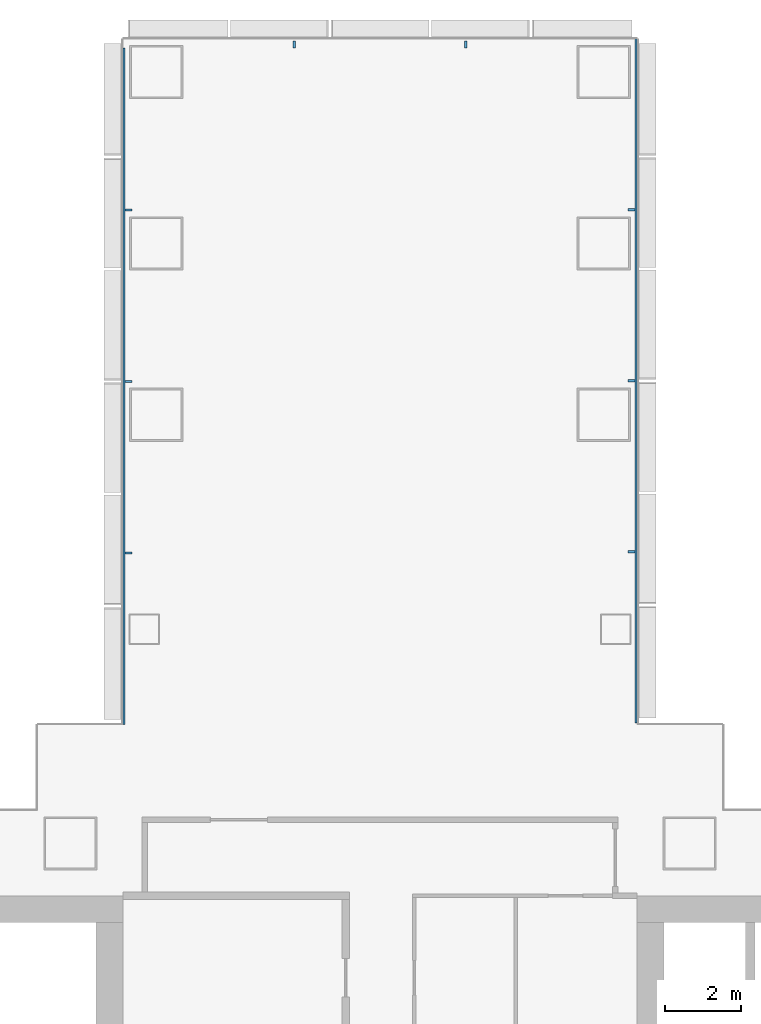
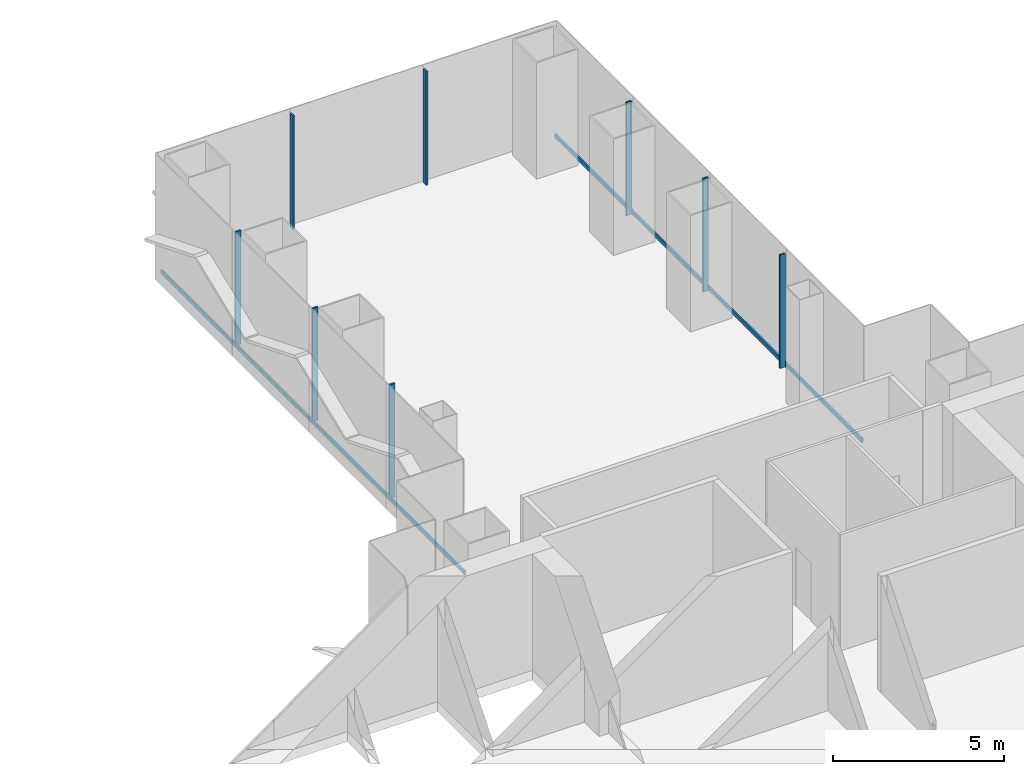
# One storey, part 10 of 22: 10 members, 3 elements without a shape of their own.
"""IFC4 building model written with IfcOpenShell, lengths in metres."""

from ifc_helpers import new_model, si_unit, direction, frame, origin, origin_2d, place, context, subcontext, project, spatial, rectangle, extrude, material, layer, layer_set, material_profile, profile_set, type_object, element, aggregate, save


model = new_model("IFC4")

# Units and contexts
model_context = context("Model", 3, precision=1e-05, world=origin(), true_north=direction((0.0, 1.0)))
body_context = subcontext(model_context, "Body", "Model", "MODEL_VIEW")
ifc_project = project(units=[si_unit("LENGTHUNIT", "METRE"), si_unit("AREAUNIT", "SQUARE_METRE"), si_unit("VOLUMEUNIT", "CUBIC_METRE"), si_unit("PLANEANGLEUNIT", "RADIAN"), si_unit("MASSUNIT", "GRAM", prefix="KILO")], contexts=[model_context])

# Site, building, storey
site_placement = place(None, origin())
site = spatial("IfcSite", under=ifc_project, at=site_placement, CompositionType="ELEMENT")
building_placement = place(site_placement, origin())
building = spatial("IfcBuilding", under=site, at=building_placement, Name="Shamsa Quay Exchange Towers", CompositionType="ELEMENT")
storey_placement = place(building_placement, frame((0.0, 0.0, 33.0)))
storey = spatial("IfcBuildingStorey", under=building, at=storey_placement, Name="L06", CompositionType="ELEMENT", Elevation=33.0)

# Curtain wall, members
ifc_material = material(Name="Aluminium EN AW-6063 T6, black anodised", Category="aluminium")
ifc_layer = layer(ifc_material, 0.280029296875)
ifc_layer_set = layer_set([ifc_layer], Name="CW-1 UNITISED VISION GLASS")
curtain_wall_type = type_object("IfcCurtainWallType", Name="CW-1 UNITISED VISION GLASS", PredefinedType="NOTDEFINED", material=ifc_layer_set)
curtain_wall_1_placement = place(storey_placement, origin())
curtain_wall_1 = element("IfcCurtainWall", 1, at=curtain_wall_1_placement, inside=storey, type_object=curtain_wall_type, Name="CW1 T2-FLK-U+S L06", PredefinedType="NOTDEFINED")
ifc_material_profile_1 = material_profile(ifc_material, rectangle(XDim=0.179931640625, YDim=0.06005859375, at=origin_2d()), Name="MU60x180")
ifc_profile_set_1 = profile_set([ifc_material_profile_1], Name="Aluminium EN AW-6063 T6, black anodised")
member_type_1 = type_object("IfcMemberType", Name="CW1 MULLION 60x180", PredefinedType="MULLION", material=ifc_profile_set_1)
member_1_placement = place(storey_placement, frame((40.35009765625, 15.778564453125, 0.0), z_axis=(0.0, 0.0, 1.0), x_axis=(-1.0, 0.0, 0.0)))
member_1 = element("IfcMember", 2, at=member_1_placement, type_object=member_type_1, Name="CW1 mullion", PredefinedType="MULLION", context=body_context, shape_type="SweptSolid", body=[
    extrude(rectangle(XDim=0.179931640625, YDim=0.06005859375, at=origin_2d()), origin(), (0.0, 0.0, 1.0), 4.050048828125),
])
member_2_placement = place(storey_placement, frame((40.35009765625, 20.26904296875, 0.0), z_axis=(0.0, 0.0, 1.0), x_axis=(-1.0, 0.0, 0.0)))
member_2 = element("IfcMember", 3, at=member_2_placement, type_object=member_type_1, Name="CW1 mullion", PredefinedType="MULLION", context=body_context, shape_type="SweptSolid", body=[
    extrude(rectangle(XDim=0.179931640625, YDim=0.06005859375, at=origin_2d()), origin(), (0.0, 0.0, 1.0), 4.050048828125),
])
member_3_placement = place(storey_placement, frame((40.35009765625, 24.759521484375, 0.0), z_axis=(0.0, 0.0, 1.0), x_axis=(-1.0, 0.0, 0.0)))
member_3 = element("IfcMember", 4, at=member_3_placement, type_object=member_type_1, Name="CW1 mullion", PredefinedType="MULLION", context=body_context, shape_type="SweptSolid", body=[
    extrude(rectangle(XDim=0.179931640625, YDim=0.06005859375, at=origin_2d()), origin(), (0.0, 0.0, 1.0), 4.050048828125),
])

curtain_wall_2_placement = place(storey_placement, origin())
curtain_wall_2 = element("IfcCurtainWall", 5, at=curtain_wall_2_placement, inside=storey, type_object=curtain_wall_type, Name="CW1 T2-END-U+ L06", PredefinedType="NOTDEFINED")
member_4_placement = place(storey_placement, frame((36.0, 29.10009765625, 0.0), z_axis=(0.0, 0.0, 1.0), x_axis=(0.0, -1.0, 0.0)))
member_4 = element("IfcMember", 6, at=member_4_placement, type_object=member_type_1, Name="CW1 mullion", PredefinedType="MULLION", context=body_context, shape_type="SweptSolid", body=[
    extrude(rectangle(XDim=0.179931640625, YDim=0.06005859375, at=origin_2d()), origin(), (0.0, 0.0, 1.0), 4.050048828125),
])
member_5_placement = place(storey_placement, frame((31.5, 29.10009765625, 0.0), z_axis=(0.0, 0.0, 1.0), x_axis=(0.0, -1.0, 0.0)))
member_5 = element("IfcMember", 7, at=member_5_placement, type_object=member_type_1, Name="CW1 mullion", PredefinedType="MULLION", context=body_context, shape_type="SweptSolid", body=[
    extrude(rectangle(XDim=0.179931640625, YDim=0.06005859375, at=origin_2d()), origin(), (0.0, 0.0, 1.0), 4.050048828125),
])
aggregate(curtain_wall_2, [member_4, member_5])

curtain_wall_3_placement = place(storey_placement, origin())
curtain_wall_3 = element("IfcCurtainWall", 8, at=curtain_wall_3_placement, inside=storey, type_object=curtain_wall_type, Name="CW1 T2-FLK-U+N L06", PredefinedType="NOTDEFINED")
member_6_placement = place(storey_placement, frame((27.14990234375, 24.75, 0.0)))
member_6 = element("IfcMember", 9, at=member_6_placement, type_object=member_type_1, Name="CW1 mullion", PredefinedType="MULLION", context=body_context, shape_type="SweptSolid", body=[
    extrude(rectangle(XDim=0.179931640625, YDim=0.06005859375, at=origin_2d()), origin(), (0.0, 0.0, 1.0), 4.050048828125),
])
member_7_placement = place(storey_placement, frame((27.14990234375, 20.25, 0.0)))
member_7 = element("IfcMember", 10, at=member_7_placement, type_object=member_type_1, Name="CW1 mullion", PredefinedType="MULLION", context=body_context, shape_type="SweptSolid", body=[
    extrude(rectangle(XDim=0.179931640625, YDim=0.06005859375, at=origin_2d()), origin(), (0.0, 0.0, 1.0), 4.050048828125),
])
member_8_placement = place(storey_placement, frame((27.14990234375, 15.75, 0.0)))
member_8 = element("IfcMember", 11, at=member_8_placement, type_object=member_type_1, Name="CW1 mullion", PredefinedType="MULLION", context=body_context, shape_type="SweptSolid", body=[
    extrude(rectangle(XDim=0.179931640625, YDim=0.06005859375, at=origin_2d()), origin(), (0.0, 0.0, 1.0), 4.050048828125),
])

# Member
ifc_material_profile_2 = material_profile(ifc_material, rectangle(XDim=0.06005859375, YDim=0.139892578125, at=origin_2d()), Name="TR140x60")
ifc_profile_set_2 = profile_set([ifc_material_profile_2], Name="Aluminium EN AW-6063 T6, black anodised")
member_type_2 = type_object("IfcMemberType", Name="CW1 TRANSOM 140x60", PredefinedType="USERDEFINED", material=ifc_profile_set_2)
member_9_placement = place(storey_placement, frame((40.469970703125, 11.2880859375, 0.070068359375), z_axis=(0.0, 1.0, 0.0), x_axis=(-1.0, 0.0, 0.0)))
member_9 = element("IfcMember", 12, at=member_9_placement, type_object=member_type_2, Name="CW1 transom", ObjectType="TRANSOM", PredefinedType="USERDEFINED", context=body_context, shape_type="SweptSolid", body=[
    extrude(rectangle(XDim=0.06005859375, YDim=0.139892578125, at=origin_2d()), origin(), (0.0, 0.0, 1.0), 17.9619140625),
])

aggregate(curtain_wall_1, [member_9, member_1, member_2, member_3])

member_10_placement = place(storey_placement, frame((27.030029296875, 29.008056640625, 0.070068359375), z_axis=(0.0, -1.0, 0.0), x_axis=(1.0, 0.0, 0.0)))
member_10 = element("IfcMember", 13, at=member_10_placement, type_object=member_type_2, Name="CW1 transom", ObjectType="TRANSOM", PredefinedType="USERDEFINED", context=body_context, shape_type="SweptSolid", body=[
    extrude(rectangle(XDim=0.06005859375, YDim=0.139892578125, at=origin_2d()), origin(), (0.0, 0.0, 1.0), 17.758056640625),
])

aggregate(curtain_wall_3, [member_10, member_6, member_7, member_8])

save(model, "model.ifc")
